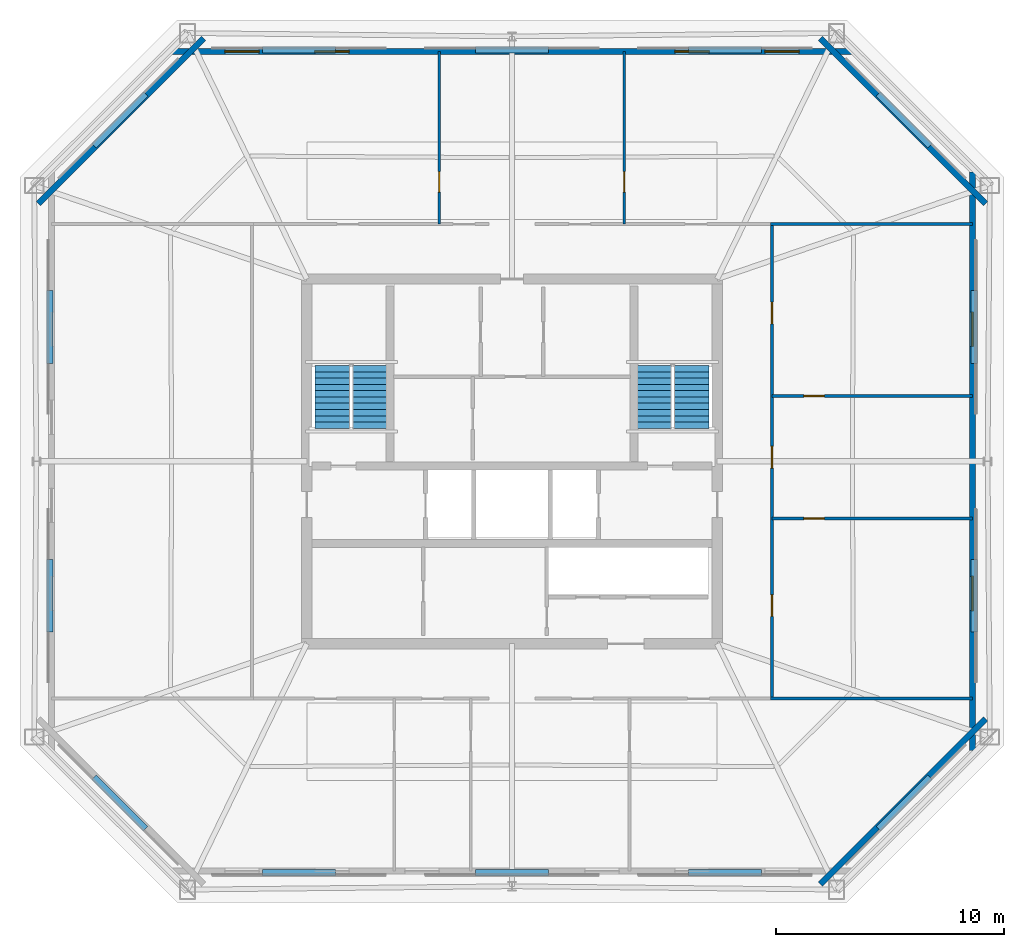
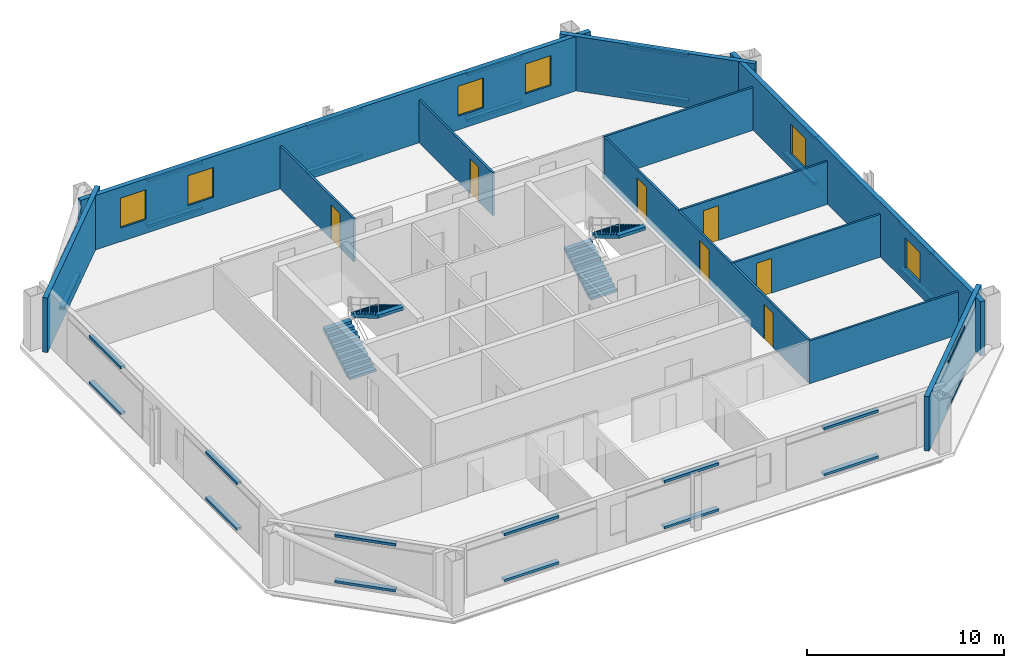
# One storey, part 4 of 6: 28 discrete accessories, 12 walls, 7 doors, 6 windows, 4 stair flights, 13 openings, 2 elements without a shape of their own.
"""IFC4 building model written with IfcOpenShell, lengths in metres."""

from ifc_helpers import new_model, si_unit, direction, frame, frame_2d, origin, origin_2d, place, context, subcontext, project, spatial, polyline, rectangle, outline, extrude, material, layer, layer_set, type_object, element, fill, aggregate, save


model = new_model("IFC4")

# Units and contexts
model_context = context("Model", 3, precision=1e-05, world=origin(), true_north=direction((0.0, 1.0)))
body_context = subcontext(model_context, "Body", "Model", "MODEL_VIEW")
ifc_project = project(units=[si_unit("LENGTHUNIT", "METRE"), si_unit("AREAUNIT", "SQUARE_METRE"), si_unit("VOLUMEUNIT", "CUBIC_METRE"), si_unit("PLANEANGLEUNIT", "RADIAN"), si_unit("MASSUNIT", "GRAM", prefix="KILO")], contexts=[model_context])

# Site, building, storey
site_placement = place(None, origin())
site = spatial("IfcSite", under=ifc_project, at=site_placement, CompositionType="ELEMENT")
building_placement = place(site_placement, origin())
building = spatial("IfcBuilding", under=site, at=building_placement, Name="Caelvoria Tower", CompositionType="ELEMENT")
storey_placement = place(building_placement, frame((0.0, 0.0, 209.39990234375)))
storey = spatial("IfcBuildingStorey", under=building, at=storey_placement, Name="L55", CompositionType="ELEMENT", Elevation=209.39990234375)

# Wall, opening, door
ifc_material_1 = material(Name="Acoustic Gypsum Board on Light-Gauge Stud", Category="gypsum")
ifc_layer_1 = layer(ifc_material_1, 0.1201171875, Name="Acoustic Gypsum Board on Light-Gauge Stud")
ifc_layer_set_1 = layer_set([ifc_layer_1], Name="Tenant Suite Acoustic Partition Wall 120 - Acoustic Gypsum Board on Light-Gauge Stud")
wall_type_1 = type_object("IfcWallType", Name="Tenant Suite Acoustic Partition Wall 120", PredefinedType="PARTITIONING", material=ifc_layer_set_1)
wall_1_placement = place(storey_placement, frame((42.807373046875, 42.409912109375, 0.0), z_axis=(0.0, 0.0, 1.0), x_axis=(0.0, 1.0, 0.0)))
wall_1 = element("IfcWall", 1, at=wall_1_placement, inside=storey, type_object=wall_type_1, Name="Interior Partition IW-L55-ND-00-0", PredefinedType="PARTITIONING", context=body_context, shape_type="SweptSolid", body=[
    extrude(rectangle(XDim=7.57373046875, YDim=0.1201171875, at=frame_2d((3.786865234375, 0.0))), origin(), (0.0, 0.0, 1.0), 2.655029296875),
])
opening_1_placement = place(wall_1_placement, frame((1.39990234375, 0.0, 0.0)))
opening_1 = element("IfcOpeningElement", 2, at=opening_1_placement, cuts=wall_1, Name="Opening ID-06", PredefinedType="OPENING", context=body_context, shape_type="SweptSolid", body=[
    extrude(rectangle(XDim=0.89990234375, YDim=2.14990234375, at=frame_2d((0.449951171875, 1.074951171875))), frame((0.0, 0.070068359375, 0.0), z_axis=(0.0, -1.0, 0.0), x_axis=(1.0, 0.0, 0.0)), (0.0, 0.0, 1.0), 0.14013671875),
])
ifc_material_2 = material(Name="Engineered Andean Oak Veneer Door", Category="wood")
door_type_1 = type_object("IfcDoorType", Name="Interior Timber Door 900x2150", OperationType="NOTDEFINED", PredefinedType="DOOR", material=ifc_material_2)
door_1_placement = place(opening_1_placement, origin())
door_1 = element("IfcDoor", 3, at=door_1_placement, inside=storey, type_object=door_type_1, Name="Interior Door DR-L55-NM-00-0", OperationType="SINGLE_SWING_RIGHT", OverallHeight=2.14990234375, OverallWidth=0.89990234375, PredefinedType="DOOR", context=body_context, shape_type="SweptSolid", body=[
    extrude(rectangle(XDim=0.89990234375, YDim=2.14990234375, at=frame_2d((0.449951171875, 1.074951171875))), frame((0.0, 0.02490234375, 0.0), z_axis=(0.0, -1.0, 0.0), x_axis=(1.0, 0.0, 0.0)), (0.0, 0.0, 1.0), 0.050048828125),
])
fill(opening_1, door_1)

wall_2_placement = place(storey_placement, frame((50.930419921875, 42.409912109375, 0.0), z_axis=(0.0, 0.0, 1.0), x_axis=(0.0, 1.0, 0.0)))
wall_2 = element("IfcWall", 4, at=wall_2_placement, inside=storey, type_object=wall_type_1, Name="Interior Partition IW-L55-ND-01-0", PredefinedType="PARTITIONING", context=body_context, shape_type="SweptSolid", body=[
    extrude(rectangle(XDim=7.57373046875, YDim=0.1201171875, at=frame_2d((3.786865234375, 0.0))), origin(), (0.0, 0.0, 1.0), 2.655029296875),
])
opening_2_placement = place(wall_2_placement, frame((1.39990234375, 0.0, 0.0)))
opening_2 = element("IfcOpeningElement", 5, at=opening_2_placement, cuts=wall_2, Name="Opening ID-06", PredefinedType="OPENING", context=body_context, shape_type="SweptSolid", body=[
    extrude(rectangle(XDim=0.89990234375, YDim=2.14990234375, at=frame_2d((0.449951171875, 1.074951171875))), frame((0.0, 0.070068359375, 0.0), z_axis=(0.0, -1.0, 0.0), x_axis=(1.0, 0.0, 0.0)), (0.0, 0.0, 1.0), 0.14013671875),
])
door_2_placement = place(opening_2_placement, origin())
door_2 = element("IfcDoor", 6, at=door_2_placement, inside=storey, type_object=door_type_1, Name="Interior Door DR-L55-NM-01-0", OperationType="SINGLE_SWING_LEFT", OverallHeight=2.14990234375, OverallWidth=0.89990234375, PredefinedType="DOOR", context=body_context, shape_type="SweptSolid", body=[
    extrude(rectangle(XDim=0.89990234375, YDim=2.14990234375, at=frame_2d((0.449951171875, 1.074951171875))), frame((0.0, 0.02490234375, 0.0), z_axis=(0.0, -1.0, 0.0), x_axis=(1.0, 0.0, 0.0)), (0.0, 0.0, 1.0), 0.050048828125),
])
fill(opening_2, door_2)

wall_3_placement = place(storey_placement, frame((57.409912109375, 29.49169921875, 0.0), z_axis=(0.0, 0.0, 1.0), x_axis=(1.0, 0.0, 0.0)))
wall_3 = element("IfcWall", 7, at=wall_3_placement, inside=storey, type_object=wall_type_1, Name="Interior Partition IW-L55-ED-00-0", PredefinedType="PARTITIONING", context=body_context, shape_type="SweptSolid", body=[
    extrude(rectangle(XDim=8.79638671875, YDim=0.1201171875, at=frame_2d((4.398193359375, 0.0))), origin(), (0.0, 0.0, 1.0), 2.655029296875),
])
opening_3_placement = place(wall_3_placement, frame((1.39990234375, 0.0, 0.0)))
opening_3 = element("IfcOpeningElement", 8, at=opening_3_placement, cuts=wall_3, Name="Opening ID-06", PredefinedType="OPENING", context=body_context, shape_type="SweptSolid", body=[
    extrude(rectangle(XDim=0.89990234375, YDim=2.14990234375, at=frame_2d((0.449951171875, 1.074951171875))), frame((0.0, 0.070068359375, 0.0), z_axis=(0.0, -1.0, 0.0), x_axis=(1.0, 0.0, 0.0)), (0.0, 0.0, 1.0), 0.14013671875),
])
door_3_placement = place(opening_3_placement, origin())
door_3 = element("IfcDoor", 9, at=door_3_placement, inside=storey, type_object=door_type_1, Name="Interior Door DR-L55-EM-00-0", OperationType="SINGLE_SWING_RIGHT", OverallHeight=2.14990234375, OverallWidth=0.89990234375, PredefinedType="DOOR", context=body_context, shape_type="SweptSolid", body=[
    extrude(rectangle(XDim=0.89990234375, YDim=2.14990234375, at=frame_2d((0.449951171875, 1.074951171875))), frame((0.0, 0.02490234375, 0.0), z_axis=(0.0, -1.0, 0.0), x_axis=(1.0, 0.0, 0.0)), (0.0, 0.0, 1.0), 0.050048828125),
])
fill(opening_3, door_3)

wall_4_placement = place(storey_placement, frame((57.409912109375, 34.8671875, 0.0), z_axis=(0.0, 0.0, 1.0), x_axis=(1.0, 0.0, 0.0)))
wall_4 = element("IfcWall", 10, at=wall_4_placement, inside=storey, type_object=wall_type_1, Name="Interior Partition IW-L55-ED-01-0", PredefinedType="PARTITIONING", context=body_context, shape_type="SweptSolid", body=[
    extrude(rectangle(XDim=8.79638671875, YDim=0.1201171875, at=frame_2d((4.398193359375, 0.0))), origin(), (0.0, 0.0, 1.0), 2.655029296875),
])
opening_4_placement = place(wall_4_placement, frame((1.39990234375, 0.0, 0.0)))
opening_4 = element("IfcOpeningElement", 11, at=opening_4_placement, cuts=wall_4, Name="Opening ID-06", PredefinedType="OPENING", context=body_context, shape_type="SweptSolid", body=[
    extrude(rectangle(XDim=0.89990234375, YDim=2.14990234375, at=frame_2d((0.449951171875, 1.074951171875))), frame((0.0, 0.070068359375, 0.0), z_axis=(0.0, -1.0, 0.0), x_axis=(1.0, 0.0, 0.0)), (0.0, 0.0, 1.0), 0.14013671875),
])
door_4_placement = place(opening_4_placement, origin())
door_4 = element("IfcDoor", 12, at=door_4_placement, inside=storey, type_object=door_type_1, Name="Interior Door DR-L55-EM-01-0", OperationType="SINGLE_SWING_LEFT", OverallHeight=2.14990234375, OverallWidth=0.89990234375, PredefinedType="DOOR", context=body_context, shape_type="SweptSolid", body=[
    extrude(rectangle(XDim=0.89990234375, YDim=2.14990234375, at=frame_2d((0.449951171875, 1.074951171875))), frame((0.0, 0.02490234375, 0.0), z_axis=(0.0, -1.0, 0.0), x_axis=(1.0, 0.0, 0.0)), (0.0, 0.0, 1.0), 0.050048828125),
])
fill(opening_4, door_4)

# Wall, openings, doors
wall_5_placement = place(storey_placement, frame((57.409912109375, 21.64990234375, 0.0), z_axis=(0.0, 0.0, 1.0), x_axis=(0.0, 1.0, 0.0)))
wall_5 = element("IfcWall", 13, at=wall_5_placement, inside=storey, type_object=wall_type_1, Name="Interior Partition IW-L55-ECW-0", PredefinedType="PARTITIONING", context=body_context, shape_type="SweptSolid", body=[
    extrude(rectangle(XDim=20.7001953125, YDim=0.1201171875, at=frame_2d((10.35009765625, 0.0))), origin(), (0.0, 0.0, 1.0), 2.655029296875),
])
opening_5_placement = place(wall_5_placement, frame((3.5458984375, 0.0, 0.0)))
opening_5 = element("IfcOpeningElement", 14, at=opening_5_placement, cuts=wall_5, Name="Opening ID-05", PredefinedType="OPENING", context=body_context, shape_type="SweptSolid", body=[
    extrude(rectangle(XDim=0.949951171875, YDim=2.14990234375, at=frame_2d((0.47509765625, 1.074951171875))), frame((0.0, 0.070068359375, 0.0), z_axis=(0.0, -1.0, 0.0), x_axis=(1.0, 0.0, 0.0)), (0.0, 0.0, 1.0), 0.14013671875),
])
opening_6_placement = place(wall_5_placement, frame((10.054443359375, 0.0, 0.0)))
opening_6 = element("IfcOpeningElement", 15, at=opening_6_placement, cuts=wall_5, Name="Opening ID-05", PredefinedType="OPENING", context=body_context, shape_type="SweptSolid", body=[
    extrude(rectangle(XDim=0.949951171875, YDim=2.14990234375, at=frame_2d((0.47509765625, 1.074951171875))), frame((0.0, 0.070068359375, 0.0), z_axis=(0.0, -1.0, 0.0), x_axis=(1.0, 0.0, 0.0)), (0.0, 0.0, 1.0), 0.14013671875),
])
opening_7_placement = place(wall_5_placement, frame((16.383544921875, 0.0, 0.0)))
opening_7 = element("IfcOpeningElement", 16, at=opening_7_placement, cuts=wall_5, Name="Opening ID-05", PredefinedType="OPENING", context=body_context, shape_type="SweptSolid", body=[
    extrude(rectangle(XDim=0.949951171875, YDim=2.14990234375, at=frame_2d((0.47509765625, 1.074951171875))), frame((0.0, 0.070068359375, 0.0), z_axis=(0.0, -1.0, 0.0), x_axis=(1.0, 0.0, 0.0)), (0.0, 0.0, 1.0), 0.14013671875),
])
door_type_2 = type_object("IfcDoorType", Name="Interior Timber Door 950x2150", OperationType="NOTDEFINED", PredefinedType="DOOR", material=ifc_material_2)
door_5_placement = place(opening_5_placement, origin())
door_5 = element("IfcDoor", 17, at=door_5_placement, inside=storey, type_object=door_type_2, Name="Interior Door DR-L55-EC-00-0", OperationType="SINGLE_SWING_RIGHT", OverallHeight=2.14990234375, OverallWidth=0.949951171875, PredefinedType="DOOR", context=body_context, shape_type="SweptSolid", body=[
    extrude(rectangle(XDim=0.949951171875, YDim=2.14990234375, at=frame_2d((0.47509765625, 1.074951171875))), frame((0.0, 0.02490234375, 0.0), z_axis=(0.0, -1.0, 0.0), x_axis=(1.0, 0.0, 0.0)), (0.0, 0.0, 1.0), 0.050048828125),
])
fill(opening_5, door_5)
door_6_placement = place(opening_6_placement, origin())
door_6 = element("IfcDoor", 18, at=door_6_placement, inside=storey, type_object=door_type_2, Name="Interior Door DR-L55-EC-01-0", OperationType="SINGLE_SWING_LEFT", OverallHeight=2.14990234375, OverallWidth=0.949951171875, PredefinedType="DOOR", context=body_context, shape_type="SweptSolid", body=[
    extrude(rectangle(XDim=0.949951171875, YDim=2.14990234375, at=frame_2d((0.47509765625, 1.074951171875))), frame((0.0, 0.02490234375, 0.0), z_axis=(0.0, -1.0, 0.0), x_axis=(1.0, 0.0, 0.0)), (0.0, 0.0, 1.0), 0.050048828125),
])
fill(opening_6, door_6)
door_7_placement = place(opening_7_placement, origin())
door_7 = element("IfcDoor", 19, at=door_7_placement, inside=storey, type_object=door_type_2, Name="Interior Door DR-L55-EC-02-0", OperationType="SINGLE_SWING_RIGHT", OverallHeight=2.14990234375, OverallWidth=0.949951171875, PredefinedType="DOOR", context=body_context, shape_type="SweptSolid", body=[
    extrude(rectangle(XDim=0.949951171875, YDim=2.14990234375, at=frame_2d((0.47509765625, 1.074951171875))), frame((0.0, 0.02490234375, 0.0), z_axis=(0.0, -1.0, 0.0), x_axis=(1.0, 0.0, 0.0)), (0.0, 0.0, 1.0), 0.050048828125),
])
fill(opening_7, door_7)

# Walls
for number, where, z_axis, x_axis, name in (
    (20, (57.35009765625, 21.590087890625, 0.0), (0.0, 0.0, 1.0), (1.0, 0.0, 0.0), "Interior Partition IW-L55-BSE-0"),
    (21, (57.35009765625, 42.409912109375, 0.0), (0.0, 0.0, 1.0), (1.0, 0.0, 0.0), "Interior Partition IW-L55-BNE-0"),
):
    element("IfcWall", number, at=place(storey_placement, frame(where, z_axis=z_axis, x_axis=x_axis)), inside=storey, type_object=wall_type_1, Name=name, PredefinedType="PARTITIONING", context=body_context, shape_type="SweptSolid", body=[
        extrude(rectangle(XDim=8.856201171875, YDim=0.1201171875, at=frame_2d((4.42822265625, 0.0))), origin(), (0.0, 0.0, 1.0), 2.655029296875),
    ])
ifc_material_3 = material(Name="Precast Concrete C40/50 with Bronze Cladding", Category="concrete")
ifc_layer_2 = layer(ifc_material_3, 0.264892578125, Name="Precast Concrete C40/50 with Bronze Cladding")
ifc_layer_set_2 = layer_set([ifc_layer_2], Name="Upper Taper Precast Concrete C40/50 Bronze Facade Wall 265 - Precast Concrete C40/50 with Bronze Cladding")
wall_type_2 = type_object("IfcWallType", Name="Upper Taper Precast Concrete C40/50 Bronze Facade Wall 265", PredefinedType="STANDARD", material=ifc_layer_set_2)
wall_6_placement = place(storey_placement, frame((59.53173828125, 13.4423828125, 0.0), z_axis=(0.0, 0.0, 1.0), x_axis=(0.707106781187, 0.707106781187, 0.0)))
element("IfcWall", 22, at=wall_6_placement, inside=storey, type_object=wall_type_2, Name="Exterior Facade Wall L55-E1", PredefinedType="STANDARD", context=body_context, shape_type="SweptSolid", body=[
    extrude(rectangle(XDim=10.2509765625, YDim=0.264892578125, at=frame_2d((5.12548828125, 0.0))), origin(), (0.0, 0.0, 1.0), 3.375),
])

# Wall, openings, windows
wall_7_placement = place(storey_placement, frame((66.206298828125, 19.305419921875, 0.0), z_axis=(0.0, 0.0, 1.0), x_axis=(0.0, 1.0, 0.0)))
wall_7 = element("IfcWall", 23, at=wall_7_placement, inside=storey, type_object=wall_type_2, Name="Exterior Facade Wall L55-E2", PredefinedType="STANDARD", context=body_context, shape_type="SweptSolid", body=[
    extrude(rectangle(XDim=25.38916015625, YDim=0.264892578125, at=frame_2d((12.694580078125, 0.0))), origin(), (0.0, 0.0, 1.0), 3.375),
])
opening_8_placement = place(wall_7_placement, frame((6.147216796875, 0.0, 0.85009765625)))
opening_8 = element("IfcOpeningElement", 24, at=opening_8_placement, cuts=wall_7, Name="Opening WN-03", PredefinedType="OPENING", context=body_context, shape_type="SweptSolid", body=[
    extrude(rectangle(XDim=1.5, YDim=1.85009765625, at=frame_2d((0.75, 0.925048828125))), frame((0.0, 0.142333984375, 0.0), z_axis=(0.0, -1.0, 0.0), x_axis=(1.0, 0.0, 0.0)), (0.0, 0.0, 1.0), 0.284912109375),
])
opening_9_placement = place(wall_7_placement, frame((17.74169921875, 0.0, 0.85009765625)))
opening_9 = element("IfcOpeningElement", 25, at=opening_9_placement, cuts=wall_7, Name="Opening WN-03", PredefinedType="OPENING", context=body_context, shape_type="SweptSolid", body=[
    extrude(rectangle(XDim=1.5, YDim=1.85009765625, at=frame_2d((0.75, 0.925048828125))), frame((0.0, 0.142333984375, 0.0), z_axis=(0.0, -1.0, 0.0), x_axis=(1.0, 0.0, 0.0)), (0.0, 0.0, 1.0), 0.284912109375),
])
ifc_material_4 = material(Name="Low-E Tinted Glass in Bronze Aluminium Frame", Category="aluminium")
window_type = type_object("IfcWindowType", Name="Upper Taper Vision Window 1500x1850", PartitioningType="SINGLE_PANEL", PredefinedType="WINDOW", material=ifc_material_4)
window_1_placement = place(opening_8_placement, origin())
window_1 = element("IfcWindow", 26, at=window_1_placement, inside=storey, type_object=window_type, Name="Facade Window L55-E2-01", OverallHeight=1.85009765625, OverallWidth=1.5, PartitioningType="SINGLE_PANEL", PredefinedType="WINDOW", context=body_context, shape_type="SweptSolid", body=[
    extrude(rectangle(XDim=1.5, YDim=1.85009765625, at=frame_2d((0.75, 0.925048828125))), frame((0.0, 0.030029296875, 0.0), z_axis=(0.0, -1.0, 0.0), x_axis=(1.0, 0.0, 0.0)), (0.0, 0.0, 1.0), 0.06005859375),
])
fill(opening_8, window_1)
window_2_placement = place(opening_9_placement, origin())
window_2 = element("IfcWindow", 27, at=window_2_placement, inside=storey, type_object=window_type, Name="Facade Window L55-E2-04", OverallHeight=1.85009765625, OverallWidth=1.5, PartitioningType="SINGLE_PANEL", PredefinedType="WINDOW", context=body_context, shape_type="SweptSolid", body=[
    extrude(rectangle(XDim=1.5, YDim=1.85009765625, at=frame_2d((0.75, 0.925048828125))), frame((0.0, 0.030029296875, 0.0), z_axis=(0.0, -1.0, 0.0), x_axis=(1.0, 0.0, 0.0)), (0.0, 0.0, 1.0), 0.06005859375),
])
fill(opening_9, window_2)

# Wall
wall_8_placement = place(storey_placement, frame((66.7802734375, 43.30908203125, 0.0), z_axis=(0.0, 0.0, 1.0), x_axis=(-0.707106781187, 0.707106781187, 0.0)))
element("IfcWall", 28, at=wall_8_placement, inside=storey, type_object=wall_type_2, Name="Exterior Facade Wall L55-E3", PredefinedType="STANDARD", context=body_context, shape_type="SweptSolid", body=[
    extrude(rectangle(XDim=10.2509765625, YDim=0.264892578125, at=frame_2d((5.12548828125, 0.0))), origin(), (0.0, 0.0, 1.0), 3.375),
])

# Wall, openings, windows
wall_9_placement = place(storey_placement, frame((60.917236328125, 49.983642578125, 0.0), z_axis=(0.0, 0.0, 1.0), x_axis=(-1.0, 0.0, 0.0)))
wall_9 = element("IfcWall", 29, at=wall_9_placement, inside=storey, type_object=wall_type_2, Name="Exterior Facade Wall L55-E4", PredefinedType="STANDARD", context=body_context, shape_type="SweptSolid", body=[
    extrude(rectangle(XDim=29.83447265625, YDim=0.264892578125, at=frame_2d((14.917236328125, 0.0))), origin(), (0.0, 0.0, 1.0), 3.375),
])
opening_10_placement = place(wall_9_placement, frame((2.323974609375, 0.0, 0.85009765625)))
opening_10 = element("IfcOpeningElement", 30, at=opening_10_placement, cuts=wall_9, Name="Opening WN-03", PredefinedType="OPENING", context=body_context, shape_type="SweptSolid", body=[
    extrude(rectangle(XDim=1.5, YDim=1.85009765625, at=frame_2d((0.75, 0.925048828125))), frame((0.0, 0.142333984375, 0.0), z_axis=(0.0, -1.0, 0.0), x_axis=(1.0, 0.0, 0.0)), (0.0, 0.0, 1.0), 0.284912109375),
])
opening_11_placement = place(wall_9_placement, frame((6.271728515625, 0.0, 0.85009765625)))
opening_11 = element("IfcOpeningElement", 31, at=opening_11_placement, cuts=wall_9, Name="Opening WN-03", PredefinedType="OPENING", context=body_context, shape_type="SweptSolid", body=[
    extrude(rectangle(XDim=1.5, YDim=1.85009765625, at=frame_2d((0.75, 0.925048828125))), frame((0.0, 0.142333984375, 0.0), z_axis=(0.0, -1.0, 0.0), x_axis=(1.0, 0.0, 0.0)), (0.0, 0.0, 1.0), 0.284912109375),
])
opening_12_placement = place(wall_9_placement, frame((22.06298828125, 0.0, 0.85009765625)))
opening_12 = element("IfcOpeningElement", 32, at=opening_12_placement, cuts=wall_9, Name="Opening WN-03", PredefinedType="OPENING", context=body_context, shape_type="SweptSolid", body=[
    extrude(rectangle(XDim=1.5, YDim=1.85009765625, at=frame_2d((0.75, 0.925048828125))), frame((0.0, 0.142333984375, 0.0), z_axis=(0.0, -1.0, 0.0), x_axis=(1.0, 0.0, 0.0)), (0.0, 0.0, 1.0), 0.284912109375),
])
opening_13_placement = place(wall_9_placement, frame((26.0107421875, 0.0, 0.85009765625)))
opening_13 = element("IfcOpeningElement", 33, at=opening_13_placement, cuts=wall_9, Name="Opening WN-03", PredefinedType="OPENING", context=body_context, shape_type="SweptSolid", body=[
    extrude(rectangle(XDim=1.5, YDim=1.85009765625, at=frame_2d((0.75, 0.925048828125))), frame((0.0, 0.142333984375, 0.0), z_axis=(0.0, -1.0, 0.0), x_axis=(1.0, 0.0, 0.0)), (0.0, 0.0, 1.0), 0.284912109375),
])
window_3_placement = place(opening_10_placement, origin())
window_3 = element("IfcWindow", 34, at=window_3_placement, inside=storey, type_object=window_type, Name="Facade Window L55-E4-00", OverallHeight=1.85009765625, OverallWidth=1.5, PartitioningType="SINGLE_PANEL", PredefinedType="WINDOW", context=body_context, shape_type="SweptSolid", body=[
    extrude(rectangle(XDim=1.5, YDim=1.85009765625, at=frame_2d((0.75, 0.925048828125))), frame((0.0, 0.030029296875, 0.0), z_axis=(0.0, -1.0, 0.0), x_axis=(1.0, 0.0, 0.0)), (0.0, 0.0, 1.0), 0.06005859375),
])
fill(opening_10, window_3)
window_4_placement = place(opening_11_placement, origin())
window_4 = element("IfcWindow", 35, at=window_4_placement, inside=storey, type_object=window_type, Name="Facade Window L55-E4-01", OverallHeight=1.85009765625, OverallWidth=1.5, PartitioningType="SINGLE_PANEL", PredefinedType="WINDOW", context=body_context, shape_type="SweptSolid", body=[
    extrude(rectangle(XDim=1.5, YDim=1.85009765625, at=frame_2d((0.75, 0.925048828125))), frame((0.0, 0.030029296875, 0.0), z_axis=(0.0, -1.0, 0.0), x_axis=(1.0, 0.0, 0.0)), (0.0, 0.0, 1.0), 0.06005859375),
])
fill(opening_11, window_4)
window_5_placement = place(opening_12_placement, origin())
window_5 = element("IfcWindow", 36, at=window_5_placement, inside=storey, type_object=window_type, Name="Facade Window L55-E4-05", OverallHeight=1.85009765625, OverallWidth=1.5, PartitioningType="SINGLE_PANEL", PredefinedType="WINDOW", context=body_context, shape_type="SweptSolid", body=[
    extrude(rectangle(XDim=1.5, YDim=1.85009765625, at=frame_2d((0.75, 0.925048828125))), frame((0.0, 0.030029296875, 0.0), z_axis=(0.0, -1.0, 0.0), x_axis=(1.0, 0.0, 0.0)), (0.0, 0.0, 1.0), 0.06005859375),
])
fill(opening_12, window_5)
window_6_placement = place(opening_13_placement, origin())
window_6 = element("IfcWindow", 37, at=window_6_placement, inside=storey, type_object=window_type, Name="Facade Window L55-E4-06", OverallHeight=1.85009765625, OverallWidth=1.5, PartitioningType="SINGLE_PANEL", PredefinedType="WINDOW", context=body_context, shape_type="SweptSolid", body=[
    extrude(rectangle(XDim=1.5, YDim=1.85009765625, at=frame_2d((0.75, 0.925048828125))), frame((0.0, 0.030029296875, 0.0), z_axis=(0.0, -1.0, 0.0), x_axis=(1.0, 0.0, 0.0)), (0.0, 0.0, 1.0), 0.06005859375),
])
fill(opening_13, window_6)

# Wall
wall_10_placement = place(storey_placement, frame((32.46826171875, 50.5576171875, 0.0), z_axis=(0.0, 0.0, 1.0), x_axis=(-0.707106781187, -0.707106781187, 0.0)))
element("IfcWall", 38, at=wall_10_placement, inside=storey, type_object=wall_type_2, Name="Exterior Facade Wall L55-E5", PredefinedType="STANDARD", context=body_context, shape_type="SweptSolid", body=[
    extrude(rectangle(XDim=10.2509765625, YDim=0.264892578125, at=frame_2d((5.12548828125, 0.0))), origin(), (0.0, 0.0, 1.0), 3.375),
])

# Stair, stair flights
ifc_material_5 = material(Name="Concrete C40/50", Category="concrete")
stair_type = type_object("IfcStairType", Name="Core Smokeproof Dogleg Stair Concrete C40/50", PredefinedType="HALF_TURN_STAIR", material=ifc_material_5)
stair_1_placement = place(storey_placement, origin())
stair_1 = element("IfcStair", 39, at=stair_1_placement, inside=storey, type_object=stair_type, Name="ST-01 Smokeproof Exit Stair L55", PredefinedType="HALF_TURN_STAIR")
ifc_material_6 = material(Name="Precast Concrete C40/50", Category="concrete")
stair_flight_type = type_object("IfcStairFlightType", Name="Precast Concrete C40/50 Stair Flight 1480", PredefinedType="STRAIGHT", material=ifc_material_6)
stair_flight_1_placement = place(storey_placement, frame((38.1298828125, 33.449951171875, 0.0), z_axis=(0.0, 0.0, 1.0), x_axis=(0.0, 1.0, 0.0)))
stair_flight_1 = element("IfcStairFlight", 40, at=stair_flight_1_placement, type_object=stair_flight_type, Name="ST-01 flight 1", NumberOfRisers=11, NumberOfTreads=10, PredefinedType="STRAIGHT", RiserHeight=0.1636, TreadLength=0.275, context=body_context, shape_type="SweptSolid", body=[
    extrude(outline(polyline([(0.0, 0.0), (0.0, 0.16357421875), (0.27490234375, 0.16357421875), (0.27490234375, 0.3271484375), (0.550048828125, 0.3271484375), (0.550048828125, 0.49072265625), (0.824951171875, 0.49072265625), (0.824951171875, 0.654296875), (1.10009765625, 0.654296875), (1.10009765625, 0.818115234375), (1.375, 0.818115234375), (1.375, 0.981689453125), (1.64990234375, 0.981689453125), (1.64990234375, 1.145263671875), (1.925048828125, 1.145263671875), (1.925048828125, 1.308837890625), (2.199951171875, 1.308837890625), (2.199951171875, 1.472412109375), (2.47509765625, 1.472412109375), (2.47509765625, 1.635986328125), (2.75, 1.635986328125), (2.75, 1.799560546875), (2.75, 1.449951171875), (0.312744140625, 0.0), (0.0, 0.0)])), frame((0.0, 0.77001953125, 0.0), z_axis=(0.0, -1.0, 0.0), x_axis=(1.0, 0.0, 0.0)), (0.0, 0.0, 1.0), 1.5400390625),
])
stair_flight_2_placement = place(storey_placement, frame((39.77001953125, 36.199951171875, 1.800048828125), z_axis=(0.0, 0.0, 1.0), x_axis=(0.0, -1.0, 0.0)))
stair_flight_2 = element("IfcStairFlight", 41, at=stair_flight_2_placement, type_object=stair_flight_type, Name="ST-01 flight 2", NumberOfRisers=11, NumberOfTreads=10, PredefinedType="STRAIGHT", RiserHeight=0.1636, TreadLength=0.275, context=body_context, shape_type="SweptSolid", body=[
    extrude(outline(polyline([(0.0, 0.0), (0.0, 0.16357421875), (0.27490234375, 0.16357421875), (0.27490234375, 0.3271484375), (0.550048828125, 0.3271484375), (0.550048828125, 0.49072265625), (0.824951171875, 0.49072265625), (0.824951171875, 0.654296875), (1.10009765625, 0.654296875), (1.10009765625, 0.818115234375), (1.375, 0.818115234375), (1.375, 0.981689453125), (1.64990234375, 0.981689453125), (1.64990234375, 1.145263671875), (1.925048828125, 1.145263671875), (1.925048828125, 1.308837890625), (2.199951171875, 1.308837890625), (2.199951171875, 1.472412109375), (2.47509765625, 1.472412109375), (2.47509765625, 1.635986328125), (2.75, 1.635986328125), (2.75, 1.799560546875), (2.75, 1.449951171875), (0.312744140625, 0.0), (0.0, 0.0)])), frame((0.0, 0.77001953125, 0.0), z_axis=(0.0, -1.0, 0.0), x_axis=(1.0, 0.0, 0.0)), (0.0, 0.0, 1.0), 1.5400390625),
])
aggregate(stair_1, [stair_flight_1, stair_flight_2])

stair_2_placement = place(storey_placement, origin())
stair_2 = element("IfcStair", 42, at=stair_2_placement, inside=storey, type_object=stair_type, Name="ST-02 Smokeproof Exit Stair L55", PredefinedType="HALF_TURN_STAIR")
stair_flight_3_placement = place(storey_placement, frame((52.22998046875, 33.449951171875, 0.0), z_axis=(0.0, 0.0, 1.0), x_axis=(0.0, 1.0, 0.0)))
stair_flight_3 = element("IfcStairFlight", 43, at=stair_flight_3_placement, type_object=stair_flight_type, Name="ST-02 flight 1", NumberOfRisers=11, NumberOfTreads=10, PredefinedType="STRAIGHT", RiserHeight=0.1636, TreadLength=0.275, context=body_context, shape_type="SweptSolid", body=[
    extrude(outline(polyline([(0.0, 0.0), (0.0, 0.16357421875), (0.27490234375, 0.16357421875), (0.27490234375, 0.3271484375), (0.550048828125, 0.3271484375), (0.550048828125, 0.49072265625), (0.824951171875, 0.49072265625), (0.824951171875, 0.654296875), (1.10009765625, 0.654296875), (1.10009765625, 0.818115234375), (1.375, 0.818115234375), (1.375, 0.981689453125), (1.64990234375, 0.981689453125), (1.64990234375, 1.145263671875), (1.925048828125, 1.145263671875), (1.925048828125, 1.308837890625), (2.199951171875, 1.308837890625), (2.199951171875, 1.472412109375), (2.47509765625, 1.472412109375), (2.47509765625, 1.635986328125), (2.75, 1.635986328125), (2.75, 1.799560546875), (2.75, 1.449951171875), (0.312744140625, 0.0), (0.0, 0.0)])), frame((0.0, 0.77001953125, 0.0), z_axis=(0.0, -1.0, 0.0), x_axis=(1.0, 0.0, 0.0)), (0.0, 0.0, 1.0), 1.5400390625),
])
stair_flight_4_placement = place(storey_placement, frame((53.8701171875, 36.199951171875, 1.800048828125), z_axis=(0.0, 0.0, 1.0), x_axis=(0.0, -1.0, 0.0)))
stair_flight_4 = element("IfcStairFlight", 44, at=stair_flight_4_placement, type_object=stair_flight_type, Name="ST-02 flight 2", NumberOfRisers=11, NumberOfTreads=10, PredefinedType="STRAIGHT", RiserHeight=0.1636, TreadLength=0.275, context=body_context, shape_type="SweptSolid", body=[
    extrude(outline(polyline([(0.0, 0.0), (0.0, 0.16357421875), (0.27490234375, 0.16357421875), (0.27490234375, 0.3271484375), (0.550048828125, 0.3271484375), (0.550048828125, 0.49072265625), (0.824951171875, 0.49072265625), (0.824951171875, 0.654296875), (1.10009765625, 0.654296875), (1.10009765625, 0.818115234375), (1.375, 0.818115234375), (1.375, 0.981689453125), (1.64990234375, 0.981689453125), (1.64990234375, 1.145263671875), (1.925048828125, 1.145263671875), (1.925048828125, 1.308837890625), (2.199951171875, 1.308837890625), (2.199951171875, 1.472412109375), (2.47509765625, 1.472412109375), (2.47509765625, 1.635986328125), (2.75, 1.635986328125), (2.75, 1.799560546875), (2.75, 1.449951171875), (0.312744140625, 0.0), (0.0, 0.0)])), frame((0.0, 0.77001953125, 0.0), z_axis=(0.0, -1.0, 0.0), x_axis=(1.0, 0.0, 0.0)), (0.0, 0.0, 1.0), 1.5400390625),
])
aggregate(stair_2, [stair_flight_3, stair_flight_4])

# Discrete accessories
ifc_material_7 = material(Name="Anodised Bronze Stainless Bracket", Category="bronze")
discrete_accessory_type = type_object("IfcDiscreteAccessoryType", Name="Solar Screen Outrigger Support Bracket", PredefinedType="BRACKET", material=ifc_material_7)
for number, where, z_axis, x_axis, name in (
    (45, (36.655029296875, 13.943603515625, 0.240234375), (0.0, 0.0, 1.0), (1.0, 0.0, 0.0), "Solar Screen Bracket L55-E0-00"),
    (46, (36.655029296875, 13.943603515625, 3.0751953125), (0.0, 0.0, 1.0), (1.0, 0.0, 0.0), "Upper Screen Band Bracket L55-E0-00"),
    (47, (46.0, 13.943603515625, 0.240234375), (0.0, 0.0, 1.0), (1.0, 0.0, 0.0), "Solar Screen Bracket L55-E0-01"),
    (48, (46.0, 13.943603515625, 3.0751953125), (0.0, 0.0, 1.0), (1.0, 0.0, 0.0), "Upper Screen Band Bracket L55-E0-01"),
    (49, (55.344970703125, 13.943603515625, 0.240234375), (0.0, 0.0, 1.0), (1.0, 0.0, 0.0), "Solar Screen Bracket L55-E0-02"),
    (50, (55.344970703125, 13.943603515625, 3.0751953125), (0.0, 0.0, 1.0), (1.0, 0.0, 0.0), "Upper Screen Band Bracket L55-E0-02"),
    (51, (63.20751953125, 17.01513671875, 0.240234375), (0.0, 0.0, 1.0), (0.707106781187, 0.707106781187, 0.0), "Solar Screen Bracket L55-E1-00"),
    (52, (63.20751953125, 17.01513671875, 3.0751953125), (0.0, 0.0, 1.0), (0.707106781187, 0.707106781187, 0.0), "Upper Screen Band Bracket L55-E1-00"),
    (53, (66.279296875, 26.102783203125, 0.240234375), (0.0, 0.0, 1.0), (0.0, 1.0, 0.0), "Solar Screen Bracket L55-E2-00"),
    (54, (66.279296875, 26.102783203125, 3.0751953125), (0.0, 0.0, 1.0), (0.0, 1.0, 0.0), "Upper Screen Band Bracket L55-E2-00"),
    (55, (66.279296875, 37.897216796875, 0.240234375), (0.0, 0.0, 1.0), (0.0, 1.0, 0.0), "Solar Screen Bracket L55-E2-01"),
    (56, (66.279296875, 37.897216796875, 3.0751953125), (0.0, 0.0, 1.0), (0.0, 1.0, 0.0), "Upper Screen Band Bracket L55-E2-01"),
    (57, (63.20751953125, 46.98486328125, 0.240234375), (0.0, 0.0, 1.0), (-0.707106781187, 0.707106781187, 0.0), "Solar Screen Bracket L55-E3-00"),
    (58, (63.20751953125, 46.98486328125, 3.0751953125), (0.0, 0.0, 1.0), (-0.707106781187, 0.707106781187, 0.0), "Upper Screen Band Bracket L55-E3-00"),
    (59, (55.344970703125, 50.056396484375, 0.240234375), (0.0, 0.0, 1.0), (-1.0, 0.0, 0.0), "Solar Screen Bracket L55-E4-00"),
    (60, (55.344970703125, 50.056396484375, 3.0751953125), (0.0, 0.0, 1.0), (-1.0, 0.0, 0.0), "Upper Screen Band Bracket L55-E4-00"),
    (61, (46.0, 50.056396484375, 0.240234375), (0.0, 0.0, 1.0), (-1.0, 0.0, 0.0), "Solar Screen Bracket L55-E4-01"),
    (62, (46.0, 50.056396484375, 3.0751953125), (0.0, 0.0, 1.0), (-1.0, 0.0, 0.0), "Upper Screen Band Bracket L55-E4-01"),
    (63, (36.655029296875, 50.056396484375, 0.240234375), (0.0, 0.0, 1.0), (-1.0, 0.0, 0.0), "Solar Screen Bracket L55-E4-02"),
    (64, (36.655029296875, 50.056396484375, 3.0751953125), (0.0, 0.0, 1.0), (-1.0, 0.0, 0.0), "Upper Screen Band Bracket L55-E4-02"),
    (65, (28.79248046875, 46.98486328125, 0.240234375), (0.0, 0.0, 1.0), (-0.707106781187, -0.707106781187, 0.0), "Solar Screen Bracket L55-E5-00"),
    (66, (28.79248046875, 46.98486328125, 3.0751953125), (0.0, 0.0, 1.0), (-0.707106781187, -0.707106781187, 0.0), "Upper Screen Band Bracket L55-E5-00"),
    (67, (25.720703125, 37.897216796875, 0.240234375), (0.0, 0.0, 1.0), (0.0, -1.0, 0.0), "Solar Screen Bracket L55-E6-00"),
    (68, (25.720703125, 37.897216796875, 3.0751953125), (0.0, 0.0, 1.0), (0.0, -1.0, 0.0), "Upper Screen Band Bracket L55-E6-00"),
    (69, (25.720703125, 26.102783203125, 0.240234375), (0.0, 0.0, 1.0), (0.0, -1.0, 0.0), "Solar Screen Bracket L55-E6-01"),
    (70, (25.720703125, 26.102783203125, 3.0751953125), (0.0, 0.0, 1.0), (0.0, -1.0, 0.0), "Upper Screen Band Bracket L55-E6-01"),
    (71, (28.79248046875, 17.01513671875, 0.240234375), (0.0, 0.0, 1.0), (0.707106781187, -0.707106781187, 0.0), "Solar Screen Bracket L55-E7-00"),
    (72, (28.79248046875, 17.01513671875, 3.0751953125), (0.0, 0.0, 1.0), (0.707106781187, -0.707106781187, 0.0), "Upper Screen Band Bracket L55-E7-00"),
):
    element("IfcDiscreteAccessory", number, at=place(storey_placement, frame(where, z_axis=z_axis, x_axis=x_axis)), inside=storey, type_object=discrete_accessory_type, Name=name, PredefinedType="BRACKET", context=body_context, shape_type="SweptSolid", body=[
        extrude(rectangle(XDim=3.199951171875, YDim=0.280029296875, at=origin_2d()), origin(), (0.0, 0.0, 1.0), 0.159912109375),
    ])

save(model, "model.ifc")
